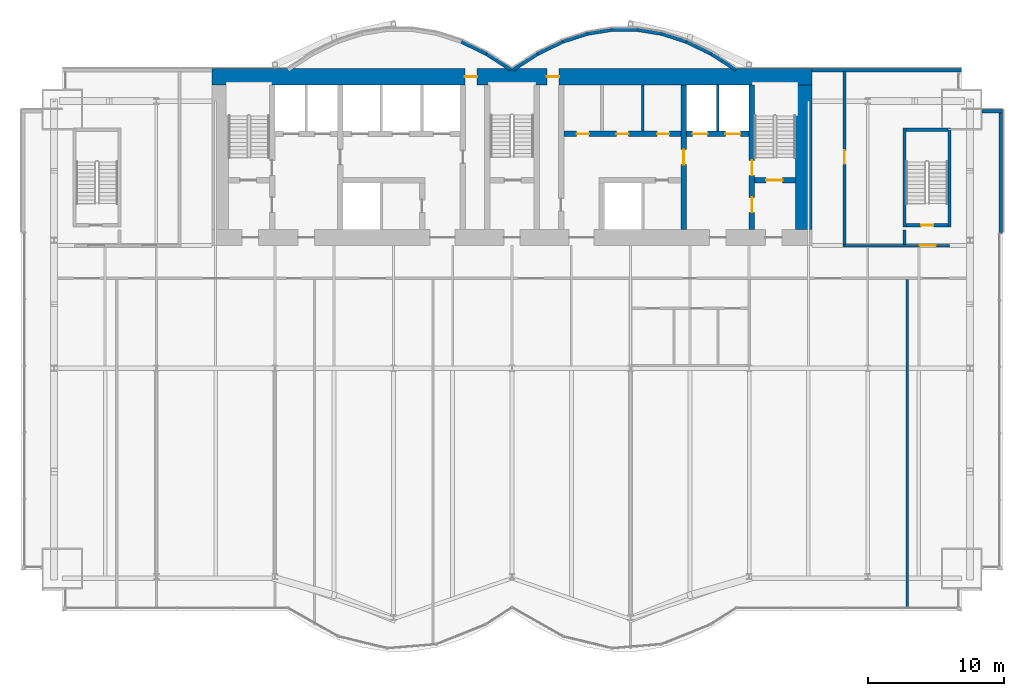
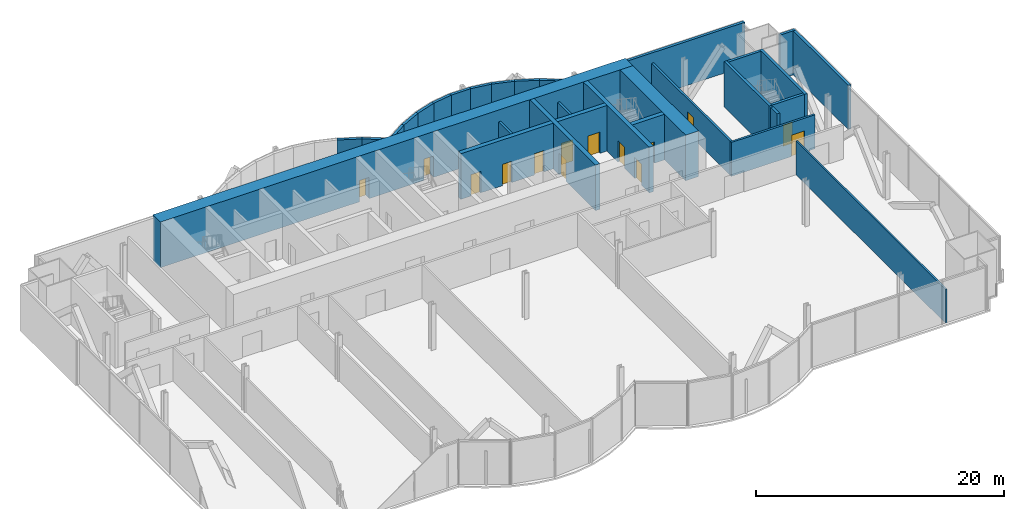
# One storey, part 17 of 21: 30 walls, 14 doors, 14 openings.
"""IFC4 building model written with IfcOpenShell, lengths in metres."""

from ifc_helpers import new_model, si_unit, direction, frame, frame_2d, origin, place, context, subcontext, project, spatial, rectangle, extrude, material, layer, layer_set, layer_usage, type_object, element, fill, save


model = new_model("IFC4")

# Units and contexts
model_context = context("Model", 3, precision=1e-05, world=origin(), true_north=direction((0.0, 1.0)))
body_context = subcontext(model_context, "Body", "Model", "MODEL_VIEW")
ifc_project = project(units=[si_unit("LENGTHUNIT", "METRE"), si_unit("AREAUNIT", "SQUARE_METRE"), si_unit("VOLUMEUNIT", "CUBIC_METRE"), si_unit("PLANEANGLEUNIT", "RADIAN"), si_unit("MASSUNIT", "GRAM", prefix="KILO")], contexts=[model_context])

# Site, building, storey
site_placement = place(None, origin())
site = spatial("IfcSite", under=ifc_project, at=site_placement, CompositionType="ELEMENT")
building_placement = place(site_placement, origin())
building = spatial("IfcBuilding", under=site, at=building_placement, Name="Bicima Exchange Tower", CompositionType="ELEMENT")
storey_placement = place(building_placement, frame((0.0, 0.0, 75.5)))
storey = spatial("IfcBuildingStorey", under=building, at=storey_placement, Name="L15", CompositionType="ELEMENT", Elevation=75.5)

# Wall
ifc_material_1 = material(Name="Gypsum board partition")
ifc_layer_1 = layer(ifc_material_1, 0.199951171875)
ifc_layer_set_1 = layer_set([ifc_layer_1], Name="Gypsum board partition")
wall_type_1 = type_object("IfcWallType", Name="Fire-rated gypsum partition 200 EI120", PredefinedType="PARTITIONING", material=ifc_layer_set_1)
wall_1_placement = place(storey_placement, frame((15.10009765625, -4.60009765625, 0.0), z_axis=(0.0, 0.0, 1.0), x_axis=(0.0, 1.0, 0.0)))
element("IfcWall", 1, at=wall_1_placement, inside=storey, type_object=wall_type_1, Name="partition wall 24", PredefinedType="PARTITIONING", context=body_context, shape_type="SweptSolid", body=[
    extrude(rectangle(XDim=3.400146484375, YDim=0.199951171875, at=frame_2d((1.7001953125, 0.0))), origin(), (0.0, 0.0, 1.0), 3.33935546875),
])

# Wall, opening, door
ifc_layer_2 = layer(ifc_material_1, 0.199951171875)
ifc_layer_set_2 = layer_set([ifc_layer_2], Name="Gypsum board partition")
wall_type_2 = type_object("IfcWallType", Name="Fire-rated gypsum partition 200 EI60", PredefinedType="PARTITIONING", material=ifc_layer_set_2)
wall_2_placement = place(storey_placement, frame((24.300048828125, -13.0, 0.0), z_axis=(0.0, 0.0, 1.0), x_axis=(1.0, 0.0, 0.0)))
wall_2 = element("IfcWall", 2, at=wall_2_placement, inside=storey, type_object=wall_type_2, Name="partition wall 5", PredefinedType="PARTITIONING", context=body_context, shape_type="SweptSolid", body=[
    extrude(rectangle(XDim=7.800048828125, YDim=0.199951171875, at=frame_2d((3.89990234375, 0.0))), origin(), (0.0, 0.0, 1.0), 3.33935546875),
])
opening_1_placement = place(wall_2_placement, frame((5.60009765625, 0.0, 0.0)))
opening_1 = element("IfcOpeningElement", 3, at=opening_1_placement, cuts=wall_2, Name="Opening L15-003", PredefinedType="OPENING", context=body_context, shape_type="SweptSolid", body=[
    extrude(rectangle(XDim=1.199951171875, YDim=2.10009765625, at=frame_2d((0.60009765625, 1.050048828125))), frame((0.0, 0.11181640625, 0.0), z_axis=(0.0, -1.0, 0.0), x_axis=(1.0, 0.0, 0.0)), (0.0, 0.0, 1.0), 0.223876953125),
])
ifc_material_2 = material(Name="Steel fire door leaf", Category="steel")
door_type_1 = type_object("IfcDoorType", Name="Door 1200 swing FD30S", OperationType="SINGLE_SWING_LEFT", PredefinedType="DOOR", material=ifc_material_2)
door_1_placement = place(opening_1_placement, origin())
door_1 = element("IfcDoor", 4, at=door_1_placement, inside=storey, type_object=door_type_1, Name="Door", OperationType="SINGLE_SWING_RIGHT", OverallHeight=2.10009765625, OverallWidth=1.199951171875, PredefinedType="DOOR", context=body_context, shape_type="SweptSolid", body=[
    extrude(rectangle(XDim=1.199951171875, YDim=2.10009765625, at=frame_2d((0.60009765625, 1.050048828125))), frame((0.0, 0.02490234375, 0.0), z_axis=(0.0, -1.0, 0.0), x_axis=(1.0, 0.0, 0.0)), (0.0, 0.0, 1.0), 0.050048828125),
])
fill(opening_1, door_1)

wall_3_placement = place(storey_placement, frame((24.39990234375, -12.89990234375, 0.0), z_axis=(0.0, 0.0, 1.0), x_axis=(0.0, 1.0, 0.0)))
wall_3 = element("IfcWall", 5, at=wall_3_placement, inside=storey, type_object=wall_type_2, Name="partition wall 27", PredefinedType="PARTITIONING", context=body_context, shape_type="SweptSolid", body=[
    extrude(rectangle(XDim=12.68994140625, YDim=0.199951171875, at=frame_2d((6.344970703125, 0.0))), origin(), (0.0, 0.0, 1.0), 3.33935546875),
])
opening_2_placement = place(wall_3_placement, frame((5.89990234375, 0.0, 0.0)))
opening_2 = element("IfcOpeningElement", 6, at=opening_2_placement, cuts=wall_3, Name="Opening L15-006", PredefinedType="OPENING", context=body_context, shape_type="SweptSolid", body=[
    extrude(rectangle(XDim=1.0, YDim=2.10009765625, at=frame_2d((0.5, 1.050048828125))), frame((0.0, 0.11181640625, 0.0), z_axis=(0.0, -1.0, 0.0), x_axis=(1.0, 0.0, 0.0)), (0.0, 0.0, 1.0), 0.223876953125),
])
door_type_2 = type_object("IfcDoorType", Name="Door 1000 swing FD30S", OperationType="SINGLE_SWING_LEFT", PredefinedType="DOOR", material=ifc_material_2)
door_2_placement = place(opening_2_placement, frame((1.0, 0.0, 0.0), z_axis=(0.0, 0.0, 1.0), x_axis=(-1.0, 0.0, 0.0)))
door_2 = element("IfcDoor", 7, at=door_2_placement, inside=storey, type_object=door_type_2, Name="Door", OperationType="SINGLE_SWING_RIGHT", OverallHeight=2.10009765625, OverallWidth=1.0, PredefinedType="DOOR", context=body_context, shape_type="SweptSolid", body=[
    extrude(rectangle(XDim=1.0, YDim=2.10009765625, at=frame_2d((0.5, 1.050048828125))), frame((0.0, 0.02490234375, 0.0), z_axis=(0.0, -1.0, 0.0), x_axis=(1.0, 0.0, 0.0)), (0.0, 0.0, 1.0), 0.050048828125),
])
fill(opening_2, door_2)

# Walls
wall_4_placement = place(storey_placement, frame((9.60009765625, -4.60009765625, 0.0), z_axis=(0.0, 0.0, 1.0), x_axis=(0.0, 1.0, 0.0)))
element("IfcWall", 8, at=wall_4_placement, inside=storey, type_object=wall_type_2, Name="partition wall 22", PredefinedType="PARTITIONING", context=body_context, shape_type="SweptSolid", body=[
    extrude(rectangle(XDim=3.400146484375, YDim=0.199951171875, at=frame_2d((1.7001953125, 0.0))), origin(), (0.0, 0.0, 1.0), 3.33935546875),
])
ifc_layer_3 = layer(ifc_material_1, 0.14990234375)
ifc_layer_set_3 = layer_set([ifc_layer_3], Name="Gypsum board partition")
wall_type_3 = type_object("IfcWallType", Name="Gypsum partition 150", PredefinedType="PARTITIONING", material=ifc_layer_set_3)
wall_5_placement = place(storey_placement, frame((29.0, -39.590087890625, 0.0), z_axis=(0.0, 0.0, 1.0), x_axis=(0.0, 1.0, 0.0)))
element("IfcWall", 9, at=wall_5_placement, inside=storey, type_object=wall_type_3, Name="partition wall 29", PredefinedType="PARTITIONING", context=body_context, shape_type="SweptSolid", body=[
    extrude(rectangle(XDim=24.090087890625, YDim=0.14990234375, at=frame_2d((12.044921875, 0.0))), origin(), (0.0, 0.0, 1.0), 3.33935546875),
])

# Wall, openings, doors
ifc_material_3 = material(Name="Concrete C60/75", Category="concrete")
ifc_layer_4 = layer(ifc_material_3, 1.199951171875)
ifc_layer_set_4 = layer_set([ifc_layer_4], Name="Concrete C60/75")
wall_type_4 = type_object("IfcWallType", Name="RC core wall 1200 C60/75", PredefinedType="SHEAR", material=ifc_layer_set_4)
wall_6_placement = place(storey_placement, frame((-22.0, -0.60009765625, 0.0), z_axis=(0.0, 0.0, 1.0), x_axis=(1.0, 0.0, 0.0)))
wall_6 = element("IfcWall", 10, at=wall_6_placement, inside=storey, type_object=wall_type_4, Name="Core wall north", PredefinedType="SHEAR", context=body_context, shape_type="SweptSolid", body=[
    extrude(rectangle(XDim=44.0, YDim=1.199951171875, at=frame_2d((22.0, 0.0))), origin(), (0.0, 0.0, 1.0), 4.5),
])
opening_3_placement = place(wall_6_placement, frame((18.550048828125, 0.0, 0.0)))
opening_3 = element("IfcOpeningElement", 11, at=opening_3_placement, cuts=wall_6, Name="Opening L15-C17", PredefinedType="OPENING", context=body_context, shape_type="SweptSolid", body=[
    extrude(rectangle(XDim=0.89990234375, YDim=2.10009765625, at=frame_2d((0.449951171875, 1.050048828125))), frame((0.0, 0.61181640625, 0.0), z_axis=(0.0, -1.0, 0.0), x_axis=(1.0, 0.0, 0.0)), (0.0, 0.0, 1.0), 1.223876953125),
])
opening_4_placement = place(wall_6_placement, frame((24.550048828125, 0.0, 0.0)))
opening_4 = element("IfcOpeningElement", 12, at=opening_4_placement, cuts=wall_6, Name="Opening L15-C18", PredefinedType="OPENING", context=body_context, shape_type="SweptSolid", body=[
    extrude(rectangle(XDim=0.89990234375, YDim=2.10009765625, at=frame_2d((0.449951171875, 1.050048828125))), frame((0.0, 0.61181640625, 0.0), z_axis=(0.0, -1.0, 0.0), x_axis=(1.0, 0.0, 0.0)), (0.0, 0.0, 1.0), 1.223876953125),
])
door_type_3 = type_object("IfcDoorType", Name="Door 900 swing FD30S", OperationType="SINGLE_SWING_LEFT", PredefinedType="DOOR", material=ifc_material_2)
door_3_placement = place(opening_3_placement, origin())
door_3 = element("IfcDoor", 13, at=door_3_placement, inside=storey, type_object=door_type_3, Name="Core door", OperationType="SINGLE_SWING_LEFT", OverallHeight=2.10009765625, OverallWidth=0.89990234375, PredefinedType="DOOR", context=body_context, shape_type="SweptSolid", body=[
    extrude(rectangle(XDim=0.89990234375, YDim=2.10009765625, at=frame_2d((0.449951171875, 1.050048828125))), frame((0.0, 0.02490234375, 0.0), z_axis=(0.0, -1.0, 0.0), x_axis=(1.0, 0.0, 0.0)), (0.0, 0.0, 1.0), 0.050048828125),
])
fill(opening_3, door_3)
door_4_placement = place(opening_4_placement, origin())
door_4 = element("IfcDoor", 14, at=door_4_placement, inside=storey, type_object=door_type_3, Name="Core door", OperationType="SINGLE_SWING_LEFT", OverallHeight=2.10009765625, OverallWidth=0.89990234375, PredefinedType="DOOR", context=body_context, shape_type="SweptSolid", body=[
    extrude(rectangle(XDim=0.89990234375, YDim=2.10009765625, at=frame_2d((0.449951171875, 1.050048828125))), frame((0.0, 0.02490234375, 0.0), z_axis=(0.0, -1.0, 0.0), x_axis=(1.0, 0.0, 0.0)), (0.0, 0.0, 1.0), 0.050048828125),
])
fill(opening_4, door_4)

# Walls
wall_7_placement = place(storey_placement, frame((21.39990234375, -11.800048828125, 0.0), z_axis=(0.0, 0.0, 1.0), x_axis=(0.0, 1.0, 0.0)))
element("IfcWall", 15, at=wall_7_placement, inside=storey, type_object=wall_type_4, Name="Core wall east", PredefinedType="SHEAR", context=body_context, shape_type="SweptSolid", body=[
    extrude(rectangle(XDim=10.60009765625, YDim=1.199951171875, at=frame_2d((5.300048828125, 0.0))), origin(), (0.0, 0.0, 1.0), 4.5),
])
ifc_material_4 = material(Name="Concrete C50/60", Category="concrete")
ifc_layer_5 = layer(ifc_material_4, 0.25)
ifc_layer_set_5 = layer_set([ifc_layer_5], Name="Concrete C50/60")
wall_type_5 = type_object("IfcWallType", Name="RC core wall 250 C50/60", PredefinedType="SHEAR", material=ifc_layer_set_5)
wall_8_placement = place(storey_placement, frame((28.800048828125, -12.89990234375, 0.0), z_axis=(0.0, 0.0, 1.0), x_axis=(0.0, 1.0, 0.0)))
element("IfcWall", 16, at=wall_8_placement, inside=storey, type_object=wall_type_5, Name="stair wall 28", PredefinedType="SHEAR", context=body_context, shape_type="SweptSolid", body=[
    extrude(rectangle(XDim=1.0498046875, YDim=0.25, at=frame_2d((0.52490234375, 0.0))), origin(), (0.0, 0.0, 1.0), 4.5),
])

# Wall, opening, door
ifc_layer_6 = layer(ifc_material_4, 0.39990234375)
ifc_layer_set_6 = layer_set([ifc_layer_6], Name="Concrete C50/60")
wall_type_6 = type_object("IfcWallType", Name="RC core wall 400 C50/60", PredefinedType="SHEAR", material=ifc_layer_set_6)
wall_9_placement = place(storey_placement, frame((17.800048828125, -8.199951171875, 0.0), z_axis=(0.0, 0.0, 1.0), x_axis=(1.0, 0.0, 0.0)))
wall_9 = element("IfcWall", 17, at=wall_9_placement, inside=storey, type_object=wall_type_6, Name="stair wall 5", PredefinedType="SHEAR", context=body_context, shape_type="SweptSolid", body=[
    extrude(rectangle(XDim=3.0, YDim=0.39990234375, at=frame_2d((1.5, 0.0))), origin(), (0.0, 0.0, 1.0), 4.5),
])
opening_5_placement = place(wall_9_placement, frame((0.85009765625, 0.0, 0.0)))
opening_5 = element("IfcOpeningElement", 18, at=opening_5_placement, cuts=wall_9, Name="Opening L15-C04", PredefinedType="OPENING", context=body_context, shape_type="SweptSolid", body=[
    extrude(rectangle(XDim=1.199951171875, YDim=2.10009765625, at=frame_2d((0.60009765625, 1.050048828125))), frame((0.0, 0.2119140625, 0.0), z_axis=(0.0, -1.0, 0.0), x_axis=(1.0, 0.0, 0.0)), (0.0, 0.0, 1.0), 0.423828125),
])
door_type_4 = type_object("IfcDoorType", Name="Door 1200 swing FD60S", OperationType="SINGLE_SWING_LEFT", PredefinedType="DOOR", material=ifc_material_2)
door_5_placement = place(opening_5_placement, origin())
door_5 = element("IfcDoor", 19, at=door_5_placement, inside=storey, type_object=door_type_4, Name="Core door", OperationType="SINGLE_SWING_RIGHT", OverallHeight=2.10009765625, OverallWidth=1.199951171875, PredefinedType="DOOR", context=body_context, shape_type="SweptSolid", body=[
    extrude(rectangle(XDim=1.199951171875, YDim=2.10009765625, at=frame_2d((0.60009765625, 1.050048828125))), frame((0.0, 0.02490234375, 0.0), z_axis=(0.0, -1.0, 0.0), x_axis=(1.0, 0.0, 0.0)), (0.0, 0.0, 1.0), 0.050048828125),
])
fill(opening_5, door_5)

# Wall, openings, doors
wall_10_placement = place(storey_placement, frame((17.60009765625, -11.800048828125, 0.0), z_axis=(0.0, 0.0, 1.0), x_axis=(0.0, 1.0, 0.0)))
wall_10 = element("IfcWall", 20, at=wall_10_placement, inside=storey, type_object=wall_type_6, Name="stair wall 25", PredefinedType="SHEAR", context=body_context, shape_type="SweptSolid", body=[
    extrude(rectangle(XDim=10.60009765625, YDim=0.39990234375, at=frame_2d((5.300048828125, 0.0))), origin(), (0.0, 0.0, 1.0), 4.5),
])
opening_6_placement = place(wall_10_placement, frame((1.25, 0.0, 0.0)))
opening_6 = element("IfcOpeningElement", 21, at=opening_6_placement, cuts=wall_10, Name="Opening L15-C05", PredefinedType="OPENING", context=body_context, shape_type="SweptSolid", body=[
    extrude(rectangle(XDim=1.10009765625, YDim=2.10009765625, at=frame_2d((0.550048828125, 1.050048828125))), frame((0.0, 0.2119140625, 0.0), z_axis=(0.0, -1.0, 0.0), x_axis=(1.0, 0.0, 0.0)), (0.0, 0.0, 1.0), 0.423828125),
])
opening_7_placement = place(wall_10_placement, frame((3.949951171875, 0.0, 0.0)))
opening_7 = element("IfcOpeningElement", 22, at=opening_7_placement, cuts=wall_10, Name="Opening L15-C08", PredefinedType="OPENING", context=body_context, shape_type="SweptSolid", body=[
    extrude(rectangle(XDim=1.10009765625, YDim=2.10009765625, at=frame_2d((0.550048828125, 1.050048828125))), frame((0.0, 0.2119140625, 0.0), z_axis=(0.0, -1.0, 0.0), x_axis=(1.0, 0.0, 0.0)), (0.0, 0.0, 1.0), 0.423828125),
])
door_type_5 = type_object("IfcDoorType", Name="Door 1100 swing FD60S", OperationType="SINGLE_SWING_LEFT", PredefinedType="DOOR", material=ifc_material_2)
door_6_placement = place(opening_6_placement, origin())
door_6 = element("IfcDoor", 23, at=door_6_placement, inside=storey, type_object=door_type_5, Name="Core door", OperationType="SINGLE_SWING_LEFT", OverallHeight=2.10009765625, OverallWidth=1.10009765625, PredefinedType="DOOR", context=body_context, shape_type="SweptSolid", body=[
    extrude(rectangle(XDim=1.10009765625, YDim=2.10009765625, at=frame_2d((0.550048828125, 1.050048828125))), frame((0.0, 0.02490234375, 0.0), z_axis=(0.0, -1.0, 0.0), x_axis=(1.0, 0.0, 0.0)), (0.0, 0.0, 1.0), 0.050048828125),
])
fill(opening_6, door_6)
door_7_placement = place(opening_7_placement, origin())
door_7 = element("IfcDoor", 24, at=door_7_placement, inside=storey, type_object=door_type_5, Name="Core door", OperationType="SINGLE_SWING_RIGHT", OverallHeight=2.10009765625, OverallWidth=1.10009765625, PredefinedType="DOOR", context=body_context, shape_type="SweptSolid", body=[
    extrude(rectangle(XDim=1.10009765625, YDim=2.10009765625, at=frame_2d((0.550048828125, 1.050048828125))), frame((0.0, 0.02490234375, 0.0), z_axis=(0.0, -1.0, 0.0), x_axis=(1.0, 0.0, 0.0)), (0.0, 0.0, 1.0), 0.050048828125),
])
fill(opening_7, door_7)

ifc_layer_7 = layer(ifc_material_3, 0.39990234375)
ifc_layer_set_7 = layer_set([ifc_layer_7], Name="Concrete C60/75")
wall_type_7 = type_object("IfcWallType", Name="RC core wall 400 C60/75", PredefinedType="SHEAR", material=ifc_layer_set_7)
wall_11_placement = place(storey_placement, frame((3.800048828125, -4.800048828125, 0.0), z_axis=(0.0, 0.0, 1.0), x_axis=(1.0, 0.0, 0.0)))
wall_11 = element("IfcWall", 25, at=wall_11_placement, inside=storey, type_object=wall_type_7, Name="shear wall 7", PredefinedType="SHEAR", context=body_context, shape_type="SweptSolid", body=[
    extrude(rectangle(XDim=13.599853515625, YDim=0.39990234375, at=frame_2d((6.7998046875, 0.0))), origin(), (0.0, 0.0, 1.0), 4.5),
])
opening_8_placement = place(wall_11_placement, frame((9.449951171875, 0.0, 0.0)))
opening_8 = element("IfcOpeningElement", 26, at=opening_8_placement, cuts=wall_11, Name="Opening LD-FF2-L15", PredefinedType="OPENING", context=body_context, shape_type="SweptSolid", body=[
    extrude(rectangle(XDim=1.10009765625, YDim=2.10009765625, at=frame_2d((0.550048828125, 1.050048828125))), frame((0.0, 0.2119140625, 0.0), z_axis=(0.0, -1.0, 0.0), x_axis=(1.0, 0.0, 0.0)), (0.0, 0.0, 1.0), 0.423828125),
])
opening_9_placement = place(wall_11_placement, frame((11.85009765625, 0.0, 0.0)))
opening_9 = element("IfcOpeningElement", 27, at=opening_9_placement, cuts=wall_11, Name="Opening LD-SV1-L15", PredefinedType="OPENING", context=body_context, shape_type="SweptSolid", body=[
    extrude(rectangle(XDim=1.10009765625, YDim=2.10009765625, at=frame_2d((0.550048828125, 1.050048828125))), frame((0.0, 0.2119140625, 0.0), z_axis=(0.0, -1.0, 0.0), x_axis=(1.0, 0.0, 0.0)), (0.0, 0.0, 1.0), 0.423828125),
])
opening_10_placement = place(wall_11_placement, frame((0.949951171875, 0.0, 0.0)))
opening_10 = element("IfcOpeningElement", 28, at=opening_10_placement, cuts=wall_11, Name="Opening L15-C12", PredefinedType="OPENING", context=body_context, shape_type="SweptSolid", body=[
    extrude(rectangle(XDim=0.89990234375, YDim=2.10009765625, at=frame_2d((0.449951171875, 1.050048828125))), frame((0.0, 0.2119140625, 0.0), z_axis=(0.0, -1.0, 0.0), x_axis=(1.0, 0.0, 0.0)), (0.0, 0.0, 1.0), 0.423828125),
])
opening_11_placement = place(wall_11_placement, frame((3.85009765625, 0.0, 0.0)))
opening_11 = element("IfcOpeningElement", 29, at=opening_11_placement, cuts=wall_11, Name="Opening L15-C13", PredefinedType="OPENING", context=body_context, shape_type="SweptSolid", body=[
    extrude(rectangle(XDim=0.89990234375, YDim=2.10009765625, at=frame_2d((0.449951171875, 1.050048828125))), frame((0.0, 0.2119140625, 0.0), z_axis=(0.0, -1.0, 0.0), x_axis=(1.0, 0.0, 0.0)), (0.0, 0.0, 1.0), 0.423828125),
])
opening_12_placement = place(wall_11_placement, frame((6.85009765625, 0.0, 0.0)))
opening_12 = element("IfcOpeningElement", 30, at=opening_12_placement, cuts=wall_11, Name="Opening L15-C14", PredefinedType="OPENING", context=body_context, shape_type="SweptSolid", body=[
    extrude(rectangle(XDim=0.89990234375, YDim=2.10009765625, at=frame_2d((0.449951171875, 1.050048828125))), frame((0.0, 0.2119140625, 0.0), z_axis=(0.0, -1.0, 0.0), x_axis=(1.0, 0.0, 0.0)), (0.0, 0.0, 1.0), 0.423828125),
])
door_8_placement = place(opening_10_placement, origin())
door_8 = element("IfcDoor", 31, at=door_8_placement, inside=storey, type_object=door_type_3, Name="Core door", OperationType="SINGLE_SWING_RIGHT", OverallHeight=2.10009765625, OverallWidth=0.89990234375, PredefinedType="DOOR", context=body_context, shape_type="SweptSolid", body=[
    extrude(rectangle(XDim=0.89990234375, YDim=2.10009765625, at=frame_2d((0.449951171875, 1.050048828125))), frame((0.0, 0.02490234375, 0.0), z_axis=(0.0, -1.0, 0.0), x_axis=(1.0, 0.0, 0.0)), (0.0, 0.0, 1.0), 0.050048828125),
])
fill(opening_10, door_8)
door_9_placement = place(opening_11_placement, origin())
door_9 = element("IfcDoor", 32, at=door_9_placement, inside=storey, type_object=door_type_3, Name="Core door", OperationType="SINGLE_SWING_LEFT", OverallHeight=2.10009765625, OverallWidth=0.89990234375, PredefinedType="DOOR", context=body_context, shape_type="SweptSolid", body=[
    extrude(rectangle(XDim=0.89990234375, YDim=2.10009765625, at=frame_2d((0.449951171875, 1.050048828125))), frame((0.0, 0.02490234375, 0.0), z_axis=(0.0, -1.0, 0.0), x_axis=(1.0, 0.0, 0.0)), (0.0, 0.0, 1.0), 0.050048828125),
])
fill(opening_11, door_9)
door_10_placement = place(opening_12_placement, origin())
door_10 = element("IfcDoor", 33, at=door_10_placement, inside=storey, type_object=door_type_3, Name="Core door", OperationType="SINGLE_SWING_RIGHT", OverallHeight=2.10009765625, OverallWidth=0.89990234375, PredefinedType="DOOR", context=body_context, shape_type="SweptSolid", body=[
    extrude(rectangle(XDim=0.89990234375, YDim=2.10009765625, at=frame_2d((0.449951171875, 1.050048828125))), frame((0.0, 0.02490234375, 0.0), z_axis=(0.0, -1.0, 0.0), x_axis=(1.0, 0.0, 0.0)), (0.0, 0.0, 1.0), 0.050048828125),
])
fill(opening_12, door_10)
ifc_material_5 = material(Name="Stainless steel", Category="steel")
door_type_6 = type_object("IfcDoorType", Name="Lift landing door 1100 sliding", OperationType="DOUBLE_DOOR_SLIDING", PredefinedType="DOOR", material=ifc_material_5)
door_11_placement = place(opening_8_placement, origin())
door_11 = element("IfcDoor", 34, at=door_11_placement, inside=storey, type_object=door_type_6, Name="Lift landing door FF2", OperationType="DOUBLE_DOOR_SLIDING", OverallHeight=2.10009765625, OverallWidth=1.10009765625, PredefinedType="DOOR", context=body_context, shape_type="SweptSolid", body=[
    extrude(rectangle(XDim=1.10009765625, YDim=2.10009765625, at=frame_2d((0.550048828125, 1.050048828125))), frame((0.0, 0.02490234375, 0.0), z_axis=(0.0, -1.0, 0.0), x_axis=(1.0, 0.0, 0.0)), (0.0, 0.0, 1.0), 0.050048828125),
])
fill(opening_8, door_11)
door_12_placement = place(opening_9_placement, origin())
door_12 = element("IfcDoor", 35, at=door_12_placement, inside=storey, type_object=door_type_6, Name="Lift landing door SV1", OperationType="DOUBLE_DOOR_SLIDING", OverallHeight=2.10009765625, OverallWidth=1.10009765625, PredefinedType="DOOR", context=body_context, shape_type="SweptSolid", body=[
    extrude(rectangle(XDim=1.10009765625, YDim=2.10009765625, at=frame_2d((0.550048828125, 1.050048828125))), frame((0.0, 0.02490234375, 0.0), z_axis=(0.0, -1.0, 0.0), x_axis=(1.0, 0.0, 0.0)), (0.0, 0.0, 1.0), 0.050048828125),
])
fill(opening_9, door_12)

# Wall, opening, door
wall_12_placement = place(storey_placement, frame((12.60009765625, -11.800048828125, 0.0), z_axis=(0.0, 0.0, 1.0), x_axis=(0.0, 1.0, 0.0)))
wall_12 = element("IfcWall", 36, at=wall_12_placement, inside=storey, type_object=wall_type_7, Name="shear wall 23", PredefinedType="SHEAR", context=body_context, shape_type="SweptSolid", body=[
    extrude(rectangle(XDim=10.60009765625, YDim=0.39990234375, at=frame_2d((5.300048828125, 0.0))), origin(), (0.0, 0.0, 1.0), 4.5),
])
opening_13_placement = place(wall_12_placement, frame((4.75, 0.0, 0.0)))
opening_13 = element("IfcOpeningElement", 37, at=opening_13_placement, cuts=wall_12, Name="Opening L15-C09", PredefinedType="OPENING", context=body_context, shape_type="SweptSolid", body=[
    extrude(rectangle(XDim=1.10009765625, YDim=2.10009765625, at=frame_2d((0.550048828125, 1.050048828125))), frame((0.0, 0.2119140625, 0.0), z_axis=(0.0, -1.0, 0.0), x_axis=(1.0, 0.0, 0.0)), (0.0, 0.0, 1.0), 0.423828125),
])
door_13_placement = place(opening_13_placement, frame((1.10009765625, 0.0, 0.0), z_axis=(0.0, 0.0, 1.0), x_axis=(-1.0, 0.0, 0.0)))
door_13 = element("IfcDoor", 38, at=door_13_placement, inside=storey, type_object=door_type_5, Name="Core door", OperationType="SINGLE_SWING_RIGHT", OverallHeight=2.10009765625, OverallWidth=1.10009765625, PredefinedType="DOOR", context=body_context, shape_type="SweptSolid", body=[
    extrude(rectangle(XDim=1.10009765625, YDim=2.10009765625, at=frame_2d((0.550048828125, 1.050048828125))), frame((0.0, 0.02490234375, 0.0), z_axis=(0.0, -1.0, 0.0), x_axis=(1.0, 0.0, 0.0)), (0.0, 0.0, 1.0), 0.050048828125),
])
fill(opening_13, door_13)

# Walls
ifc_layer_8 = layer(ifc_material_4, 0.25)
ifc_layer_set_8 = layer_set([ifc_layer_8], Name="Concrete C50/60")
wall_type_8 = type_object("IfcWallType", Name="RC stair enclosure wall 250 C50/60", PredefinedType="SHEAR", material=ifc_layer_set_8)
for number, where, z_axis, x_axis, name in (
    (39, (28.800048828125, -11.625, 0.0), (0.0, 0.0, 1.0), (0.0, 1.0, 0.0), "East end exit stair wall W"),
    (40, (32.10009765625, -11.625, 0.0), (0.0, 0.0, 1.0), (0.0, 1.0, 0.0), "East end exit stair wall E"),
):
    element("IfcWall", number, at=place(storey_placement, frame(where, z_axis=z_axis, x_axis=x_axis)), inside=storey, type_object=wall_type_8, Name=name, PredefinedType="SHEAR", context=body_context, shape_type="SweptSolid", body=[
        extrude(rectangle(XDim=7.25, YDim=0.25, at=frame_2d((3.625, 0.0))), origin(), (0.0, 0.0, 1.0), 4.5),
    ])

# Wall, opening, door
wall_13_placement = place(storey_placement, frame((28.925048828125, -11.5, 0.0), z_axis=(0.0, 0.0, 1.0), x_axis=(1.0, 0.0, 0.0)))
wall_13 = element("IfcWall", 41, at=wall_13_placement, inside=storey, type_object=wall_type_8, Name="East end exit stair wall S", PredefinedType="SHEAR", context=body_context, shape_type="SweptSolid", body=[
    extrude(rectangle(XDim=3.050048828125, YDim=0.25, at=frame_2d((1.52490234375, 0.0))), origin(), (0.0, 0.0, 1.0), 4.5),
])
opening_14_placement = place(wall_13_placement, frame((1.10009765625, 0.0, 0.0)))
opening_14 = element("IfcOpeningElement", 42, at=opening_14_placement, cuts=wall_13, Name="Opening L15-004", PredefinedType="OPENING", context=body_context, shape_type="SweptSolid", body=[
    extrude(rectangle(XDim=0.89990234375, YDim=2.10009765625, at=frame_2d((0.449951171875, 1.050048828125))), frame((0.0, 0.136962890625, 0.0), z_axis=(0.0, -1.0, 0.0), x_axis=(1.0, 0.0, 0.0)), (0.0, 0.0, 1.0), 0.27392578125),
])
door_type_7 = type_object("IfcDoorType", Name="Door 900 swing FD60S", OperationType="SINGLE_SWING_LEFT", PredefinedType="DOOR", material=ifc_material_2)
door_14_placement = place(opening_14_placement, origin())
door_14 = element("IfcDoor", 43, at=door_14_placement, inside=storey, type_object=door_type_7, Name="Door", OperationType="SINGLE_SWING_LEFT", OverallHeight=2.10009765625, OverallWidth=0.89990234375, PredefinedType="DOOR", context=body_context, shape_type="SweptSolid", body=[
    extrude(rectangle(XDim=0.89990234375, YDim=2.10009765625, at=frame_2d((0.449951171875, 1.050048828125))), frame((0.0, 0.02490234375, 0.0), z_axis=(0.0, -1.0, 0.0), x_axis=(1.0, 0.0, 0.0)), (0.0, 0.0, 1.0), 0.050048828125),
])
fill(opening_14, door_14)

# Walls
wall_14_placement = place(storey_placement, frame((28.925048828125, -4.5, 0.0), z_axis=(0.0, 0.0, 1.0), x_axis=(1.0, 0.0, 0.0)))
element("IfcWall", 44, at=wall_14_placement, inside=storey, type_object=wall_type_8, Name="East end exit stair wall N", PredefinedType="SHEAR", context=body_context, shape_type="SweptSolid", body=[
    extrude(rectangle(XDim=3.050048828125, YDim=0.25, at=frame_2d((1.52490234375, 0.0))), origin(), (0.0, 0.0, 1.0), 4.5),
])
ifc_material_6 = material(Name="Concrete C40/50", Category="concrete")
ifc_layer_9 = layer(ifc_material_6, 0.25)
ifc_layer_set_9 = layer_set([ifc_layer_9], Name="Concrete C40/50")
ifc_layer_usage = layer_usage(ifc_layer_set_9, "AXIS2", "POSITIVE", -0.125)
wall_type_9 = type_object("IfcWallType", Name="Rear backup wall 250", PredefinedType="STANDARD", material=ifc_layer_set_9)
wall_15_placement = place(storey_placement, frame((33.0, -0.125, 0.0), z_axis=(0.0, 0.0, 1.0), x_axis=(-1.0, 0.0, 0.0)))
element("IfcWall", 45, at=wall_15_placement, inside=storey, type_object=wall_type_9, material=ifc_layer_usage, Name="Rear backup wall L15 1", PredefinedType="STANDARD", context=body_context, shape_type="SweptSolid", body=[
    extrude(rectangle(XDim=11.0, YDim=0.25, at=frame_2d((5.5, 0.0))), origin(), (0.0, 0.0, 1.0), 4.35009765625),
])
wall_16_placement = place(storey_placement, frame((16.43212890625, -0.10498046875, 0.0), z_axis=(0.0, 0.0, 1.0), x_axis=(-0.83981312244, 0.542875602121, 0.0)))
element("IfcWall", 46, at=wall_16_placement, inside=storey, type_object=wall_type_9, material=ifc_layer_usage, Name="Rear backup wall L15 2", PredefinedType="STANDARD", context=body_context, shape_type="SweptSolid", body=[
    extrude(rectangle(XDim=2.182861328125, YDim=0.25, at=frame_2d((1.09130859375, 0.0))), origin(), (0.0, 0.0, 1.0), 4.35009765625),
])
wall_17_placement = place(storey_placement, frame((14.6123046875, 1.07275390625, 0.0), z_axis=(0.0, 0.0, 1.0), x_axis=(-0.89982408427, 0.436252928206, 0.0)))
element("IfcWall", 47, at=wall_17_placement, inside=storey, type_object=wall_type_9, material=ifc_layer_usage, Name="Rear backup wall L15 3", PredefinedType="STANDARD", context=body_context, shape_type="SweptSolid", body=[
    extrude(rectangle(XDim=2.03759765625, YDim=0.25, at=frame_2d((1.018798828125, 0.0))), origin(), (0.0, 0.0, 1.0), 4.35009765625),
])
wall_18_placement = place(storey_placement, frame((12.794921875, 1.955078125, 0.0), z_axis=(0.0, 0.0, 1.0), x_axis=(-0.951495806175, 0.307661714928, 0.0)))
element("IfcWall", 48, at=wall_18_placement, inside=storey, type_object=wall_type_9, material=ifc_layer_usage, Name="Rear backup wall L15 4", PredefinedType="STANDARD", context=body_context, shape_type="SweptSolid", body=[
    extrude(rectangle(XDim=1.9267578125, YDim=0.25, at=frame_2d((0.96337890625, 0.0))), origin(), (0.0, 0.0, 1.0), 4.35009765625),
])
wall_19_placement = place(storey_placement, frame((10.97998046875, 2.543212890625, 0.0), z_axis=(0.0, 0.0, 1.0), x_axis=(-0.987181718931, 0.159600293885, 0.0)))
element("IfcWall", 49, at=wall_19_placement, inside=storey, type_object=wall_type_9, material=ifc_layer_usage, Name="Rear backup wall L15 5", PredefinedType="STANDARD", context=body_context, shape_type="SweptSolid", body=[
    extrude(rectangle(XDim=1.857177734375, YDim=0.25, at=frame_2d((0.9287109375, 0.0))), origin(), (0.0, 0.0, 1.0), 4.35009765625),
])
wall_20_placement = place(storey_placement, frame((9.166748046875, 2.837890625, 0.0), z_axis=(0.0, 0.0, 1.0), x_axis=(-1.0, 0.0, 0.0)))
element("IfcWall", 50, at=wall_20_placement, inside=storey, type_object=wall_type_9, material=ifc_layer_usage, Name="Rear backup wall L15 6", PredefinedType="STANDARD", context=body_context, shape_type="SweptSolid", body=[
    extrude(rectangle(XDim=1.83349609375, YDim=0.25, at=frame_2d((0.916748046875, 0.0))), origin(), (0.0, 0.0, 1.0), 4.35009765625),
])
wall_21_placement = place(storey_placement, frame((7.353271484375, 2.839599609375, 0.0), z_axis=(0.0, 0.0, 1.0), x_axis=(-0.987181718931, -0.159600293885, 0.0)))
element("IfcWall", 51, at=wall_21_placement, inside=storey, type_object=wall_type_9, material=ifc_layer_usage, Name="Rear backup wall L15 7", PredefinedType="STANDARD", context=body_context, shape_type="SweptSolid", body=[
    extrude(rectangle(XDim=1.857177734375, YDim=0.25, at=frame_2d((0.9287109375, 0.0))), origin(), (0.0, 0.0, 1.0), 4.35009765625),
])
wall_22_placement = place(storey_placement, frame((5.538330078125, 2.5478515625, 0.0), z_axis=(0.0, 0.0, 1.0), x_axis=(-0.951495806175, -0.307661714928, 0.0)))
element("IfcWall", 52, at=wall_22_placement, inside=storey, type_object=wall_type_9, material=ifc_layer_usage, Name="Rear backup wall L15 8", PredefinedType="STANDARD", context=body_context, shape_type="SweptSolid", body=[
    extrude(rectangle(XDim=1.9267578125, YDim=0.25, at=frame_2d((0.96337890625, 0.0))), origin(), (0.0, 0.0, 1.0), 4.35009765625),
])
wall_23_placement = place(storey_placement, frame((3.72119140625, 1.961669921875, 0.0), z_axis=(0.0, 0.0, 1.0), x_axis=(-0.89982408427, -0.436252928206, 0.0)))
element("IfcWall", 53, at=wall_23_placement, inside=storey, type_object=wall_type_9, material=ifc_layer_usage, Name="Rear backup wall L15 9", PredefinedType="STANDARD", context=body_context, shape_type="SweptSolid", body=[
    extrude(rectangle(XDim=2.03759765625, YDim=0.25, at=frame_2d((1.018798828125, 0.0))), origin(), (0.0, 0.0, 1.0), 4.35009765625),
])
for number, where, z_axis, x_axis, name in (
    (54, (1.901123046875, 1.080078125, 0.0), (0.0, 0.0, 1.0), (-0.83981312244, -0.542875602121, 0.0), "Rear backup wall L15 10"),
    (55, (-0.06787109375, -0.10498046875, 0.0), (0.0, 0.0, 1.0), (-0.83981312244, 0.542875602121, 0.0), "Rear backup wall L15 11"),
):
    element("IfcWall", number, at=place(storey_placement, frame(where, z_axis=z_axis, x_axis=x_axis)), inside=storey, type_object=wall_type_9, material=ifc_layer_usage, Name=name, PredefinedType="STANDARD", context=body_context, shape_type="SweptSolid", body=[
        extrude(rectangle(XDim=2.182861328125, YDim=0.25, at=frame_2d((1.09130859375, 0.0))), origin(), (0.0, 0.0, 1.0), 4.35009765625),
    ])
wall_24_placement = place(storey_placement, frame((-1.8876953125, 1.07275390625, 0.0), z_axis=(0.0, 0.0, 1.0), x_axis=(-0.89982408427, 0.436252928206, 0.0)))
element("IfcWall", 56, at=wall_24_placement, inside=storey, type_object=wall_type_9, material=ifc_layer_usage, Name="Rear backup wall L15 12", PredefinedType="STANDARD", context=body_context, shape_type="SweptSolid", body=[
    extrude(rectangle(XDim=2.03759765625, YDim=0.25, at=frame_2d((1.018798828125, 0.0))), origin(), (0.0, 0.0, 1.0), 4.35009765625),
])
wall_25_placement = place(storey_placement, frame((35.875, -12.090087890625, 0.0), z_axis=(0.0, 0.0, 1.0), x_axis=(0.0, 1.0, 0.0)))
element("IfcWall", 57, at=wall_25_placement, inside=storey, type_object=wall_type_9, material=ifc_layer_usage, Name="Rear backup wall L15 50", PredefinedType="STANDARD", context=body_context, shape_type="SweptSolid", body=[
    extrude(rectangle(XDim=9.090087890625, YDim=0.25, at=frame_2d((4.544921875, 0.0))), origin(), (0.0, 0.0, 1.0), 4.35009765625),
])
wall_26_placement = place(storey_placement, frame((36.0, -3.125, 0.0), z_axis=(0.0, 0.0, 1.0), x_axis=(-1.0, 0.0, 0.0)))
element("IfcWall", 58, at=wall_26_placement, inside=storey, type_object=wall_type_9, material=ifc_layer_usage, Name="Rear backup wall L15 51", PredefinedType="STANDARD", context=body_context, shape_type="SweptSolid", body=[
    extrude(rectangle(XDim=1.5, YDim=0.25, at=frame_2d((0.75, 0.0))), origin(), (0.0, 0.0, 1.0), 4.35009765625),
])

save(model, "model.ifc")
